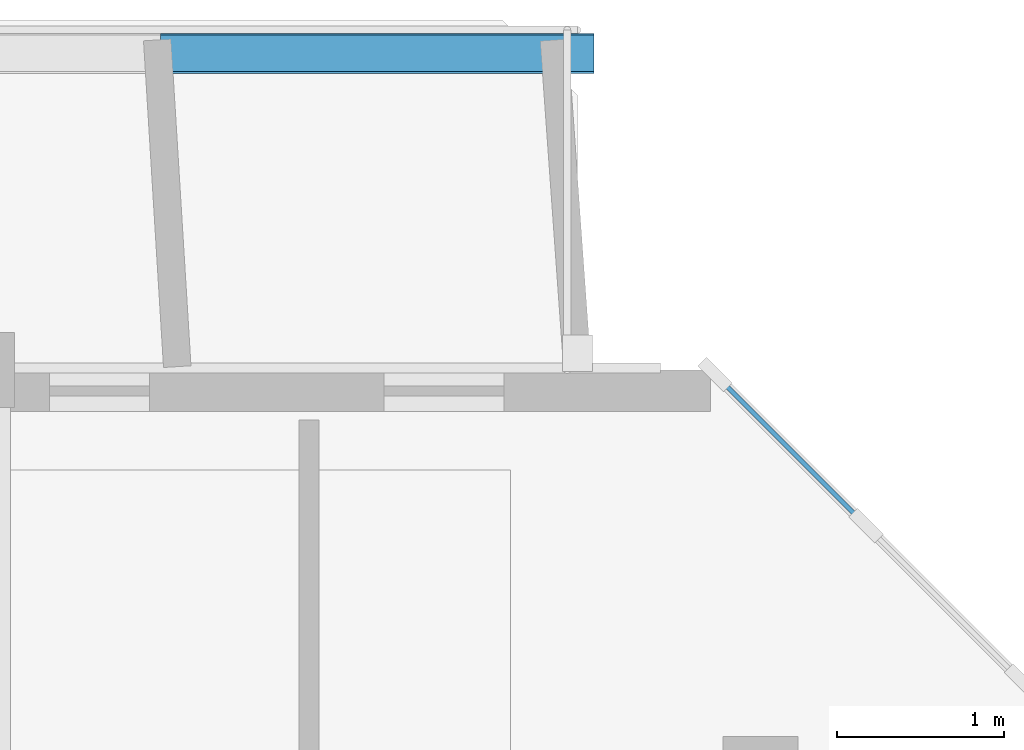
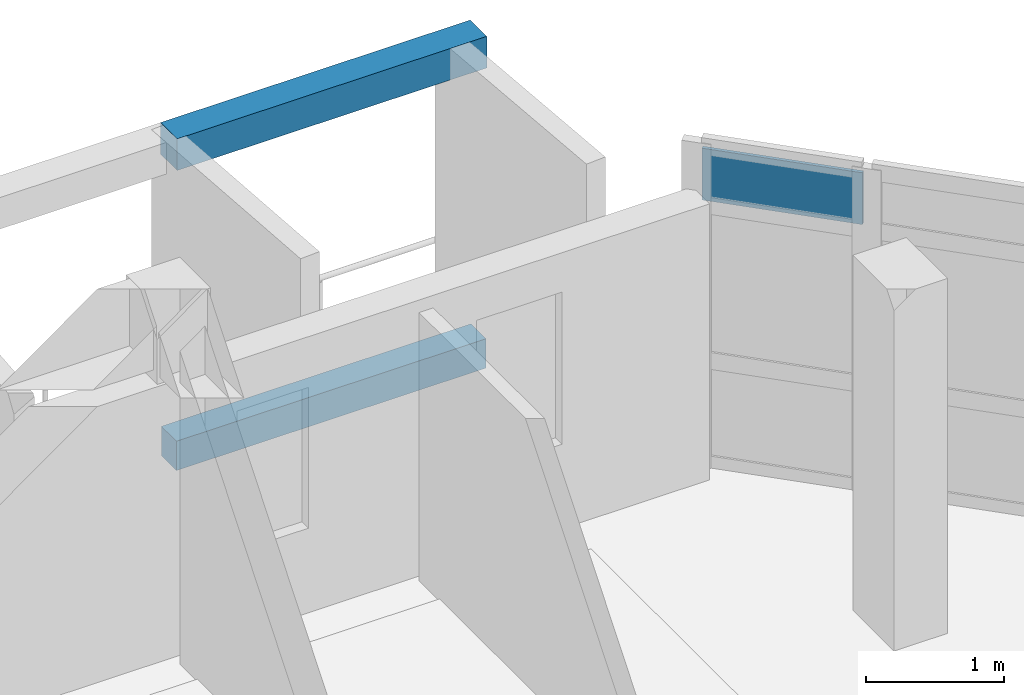
# One storey, part 12 of 31: 3 plates, 1 element without a shape of its own.
"""IFC4 building model written with IfcOpenShell, lengths in metres."""

from ifc_helpers import new_model, si_unit, direction, frame, origin, origin_2d, place, context, subcontext, project, spatial, rectangle, extrude, material, layer, layer_set, type_object, element, aggregate, save


model = new_model("IFC4")

# Units and contexts
model_context = context("Model", 3, precision=1e-05, world=origin(), true_north=direction((0.0, 1.0)))
body_context = subcontext(model_context, "Body", "Model", "MODEL_VIEW")
ifc_project = project(units=[si_unit("LENGTHUNIT", "METRE"), si_unit("AREAUNIT", "SQUARE_METRE"), si_unit("VOLUMEUNIT", "CUBIC_METRE"), si_unit("PLANEANGLEUNIT", "RADIAN"), si_unit("MASSUNIT", "GRAM", prefix="KILO")], contexts=[model_context])

# Site, building, storey
site_placement = place(None, origin())
site = spatial("IfcSite", under=ifc_project, at=site_placement, CompositionType="ELEMENT")
building_placement = place(site_placement, origin())
building = spatial("IfcBuilding", under=site, at=building_placement, Name="Ochrevale Crest", CompositionType="ELEMENT")
storey_placement = place(building_placement, frame((0.0, 0.0, 37.050048828125)))
storey = spatial("IfcBuildingStorey", under=building, at=storey_placement, Name="L11", CompositionType="ELEMENT", Elevation=37.050048828125)

# Curtain wall, plate
ifc_material_1 = material(Name="Anodised aluminium 6063-T5", Category="aluminium")
ifc_layer_1 = layer(ifc_material_1, 0.14990234375)
ifc_layer_set_1 = layer_set([ifc_layer_1], Name="Anodised aluminium 6063-T5")
curtain_wall_type = type_object("IfcCurtainWallType", Name="CW-WG-240x285", PredefinedType="NOTDEFINED", material=ifc_layer_set_1)
curtain_wall_placement = place(storey_placement, origin())
curtain_wall = element("IfcCurtainWall", 1, at=curtain_wall_placement, inside=storey, type_object=curtain_wall_type, Name="Block D L11 chamfered corner wintergarden curtain wall 4", PredefinedType="NOTDEFINED")
ifc_material_2 = material(Name="Double-glazed low-E insulated glass unit", Category="glass")
ifc_layer_2 = layer(ifc_material_2, 0.028076171875)
ifc_layer_set_2 = layer_set([ifc_layer_2], Name="Double-glazed low-E insulated glass unit")
plate_type_1 = type_object("IfcPlateType", Name="CW-PNL-IGU28", PredefinedType="CURTAIN_PANEL", material=ifc_layer_set_2)
plate_1_placement = place(storey_placement, frame((163.280029296875, 93.1201171875, 2.35498046875), z_axis=(0.0, 0.0, 1.0), x_axis=(-0.707106781187, 0.707106781187, 0.0)))
plate_1 = element("IfcPlate", 2, at=plate_1_placement, type_object=plate_type_1, Name="CW15 panel 3.3", PredefinedType="CURTAIN_PANEL", context=body_context, shape_type="SweptSolid", body=[
    extrude(rectangle(XDim=1.20751953125, YDim=0.028076171875, at=origin_2d()), origin(), (0.0, 0.0, 1.0), 0.4599609375),
])
aggregate(curtain_wall, [plate_1])

# Plates
ifc_material_3 = material(Name="Precast concrete C40/50", Category="concrete")
ifc_layer_3 = layer(ifc_material_3, 0.06005859375)
ifc_layer_set_3 = layer_set([ifc_layer_3], Name="Precast concrete C40/50")
plate_type_2 = type_object("IfcPlateType", Name="PLT-HC-HEAD-60", PredefinedType="USERDEFINED", material=ifc_layer_set_3)
plate_2_placement = place(storey_placement, frame((160.800048828125, 95.5, 2.669921875), z_axis=(0.0, 0.0, 1.0), x_axis=(1.0, 0.0, 0.0)))
element("IfcPlate", 3, at=plate_2_placement, inside=storey, type_object=plate_type_2, Name="Block D L11 N honeycomb arched lintel fascia 12", ObjectType="FACADE FASCIA PLATE", PredefinedType="USERDEFINED", context=body_context, shape_type="SweptSolid", body=[
    extrude(rectangle(XDim=2.60009765625, YDim=0.239990234375, at=origin_2d()), origin(), (0.0, 0.0, 1.0), 0.280029296875),
])
ifc_layer_4 = layer(ifc_material_3, 0.044921875)
ifc_layer_set_4 = layer_set([ifc_layer_4], Name="Precast concrete C40/50")
plate_type_3 = type_object("IfcPlateType", Name="PLT-HC-SILL-45", PredefinedType="USERDEFINED", material=ifc_layer_set_4)
plate_3_placement = place(storey_placement, frame((160.800048828125, 95.5, 0.0), z_axis=(0.0, 0.0, 1.0), x_axis=(1.0, 0.0, 0.0)))
element("IfcPlate", 4, at=plate_3_placement, inside=storey, type_object=plate_type_3, Name="Block D L11 N honeycomb sill coping plate 12", ObjectType="SILL COPING PLATE", PredefinedType="USERDEFINED", context=body_context, shape_type="SweptSolid", body=[
    extrude(rectangle(XDim=2.60009765625, YDim=0.219970703125, at=origin_2d()), origin(), (0.0, 0.0, 1.0), 0.260009765625),
])

save(model, "model.ifc")
